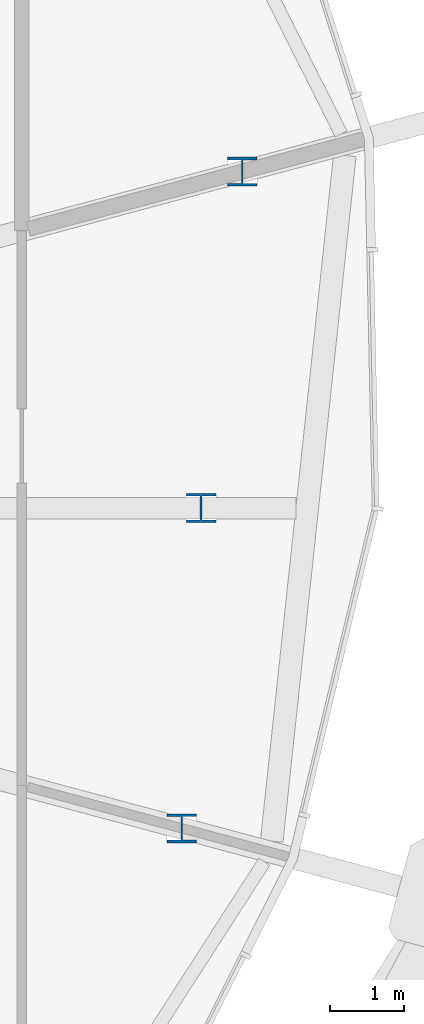
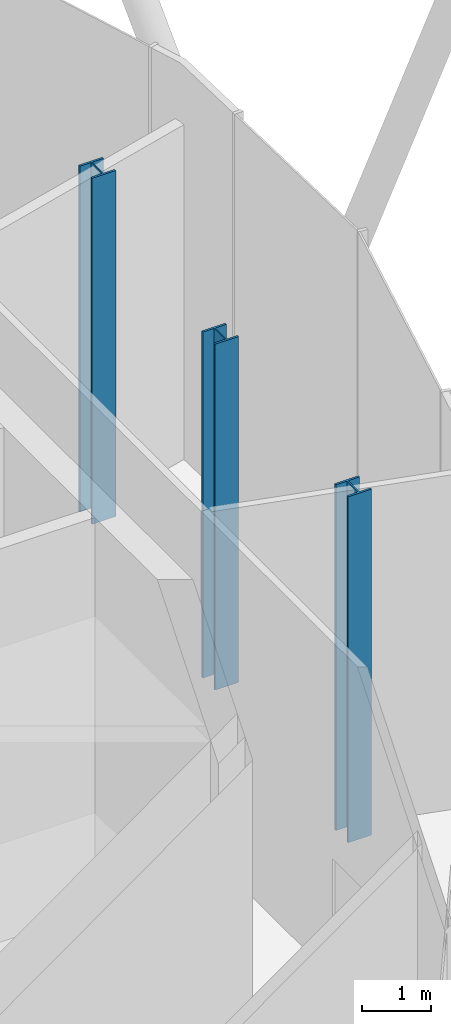
# One storey, part 2 of 28: 3 columns.
"""IFC4 building model written with IfcOpenShell, lengths in metres."""

from ifc_helpers import new_model, si_unit, direction, frame, origin, origin_2d, place, context, subcontext, project, spatial, i_section, extrude, material, material_profile, profile_set, type_object, element, save


model = new_model("IFC4")

# Units and contexts
model_context = context("Model", 3, precision=1e-05, world=origin(), true_north=direction((0.0, 1.0)))
body_context = subcontext(model_context, "Body", "Model", "MODEL_VIEW")
ifc_project = project(units=[si_unit("LENGTHUNIT", "METRE"), si_unit("AREAUNIT", "SQUARE_METRE"), si_unit("VOLUMEUNIT", "CUBIC_METRE"), si_unit("PLANEANGLEUNIT", "RADIAN"), si_unit("MASSUNIT", "GRAM", prefix="KILO")], contexts=[model_context])

# Site, building, storey
site_placement = place(None, origin())
site = spatial("IfcSite", under=ifc_project, at=site_placement, CompositionType="ELEMENT")
building_placement = place(site_placement, origin())
building = spatial("IfcBuilding", under=site, at=building_placement, Name="Rimbun Link Towers", CompositionType="ELEMENT")
storey_placement = place(building_placement, frame((0.0, 0.0, 256.10009765625)))
storey = spatial("IfcBuildingStorey", under=building, at=storey_placement, Name="L63", CompositionType="ELEMENT", Elevation=256.10009765625)

# Columns
ifc_material = material(Name="Steel S355J2", Category="steel")
ifc_material_profile = material_profile(ifc_material, i_section(OverallWidth=0.39892578125, OverallDepth=0.3935546875, WebThickness=0.022705078125, FlangeThickness=0.03662109375, at=origin_2d()), Name="UC 356x406x287")
ifc_profile_set = profile_set([ifc_material_profile], Name="Steel S355J2")
column_type = type_object("IfcColumnType", Name="UC 356x406x287", PredefinedType="COLUMN", material=ifc_profile_set)
for number, where, z_axis, x_axis, name in (
    (1, (47.914306640625, -4.331298828125, -0.18017578125), (0.0, 0.0, 1.0), (1.0, 0.0, 0.0), "Crease post T2 L63 20"),
    (2, (48.175048828125, 0.0, -0.18017578125), (0.0, 0.0, 1.0), (1.0, 0.0, 0.0), "Crease post T2 L63 21"),
    (3, (48.7314453125, 4.550048828125, -0.18017578125), (0.0, 0.0, 1.0), (1.0, 0.0, 0.0), "Crease post T2 L63 22"),
):
    element("IfcColumn", number, at=place(storey_placement, frame(where, z_axis=z_axis, x_axis=x_axis)), inside=storey, type_object=column_type, Name=name, PredefinedType="COLUMN", context=body_context, shape_type="SweptSolid", body=[
        extrude(i_section(OverallWidth=0.39892578125, OverallDepth=0.3935546875, WebThickness=0.022705078125, FlangeThickness=0.03662109375, at=origin_2d()), origin(), (0.0, 0.0, 1.0), 6.159423828125),
    ])

save(model, "model.ifc")
